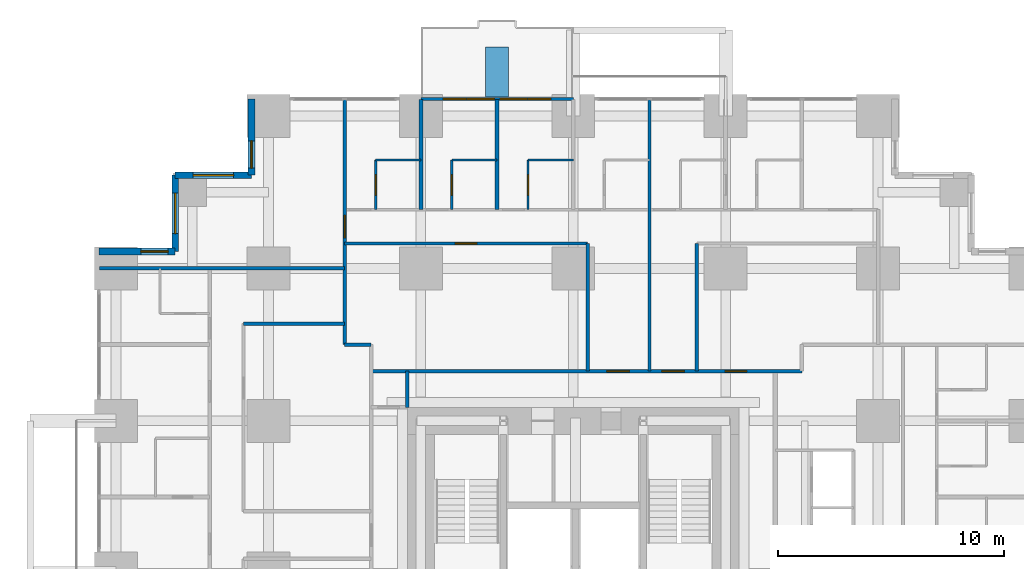
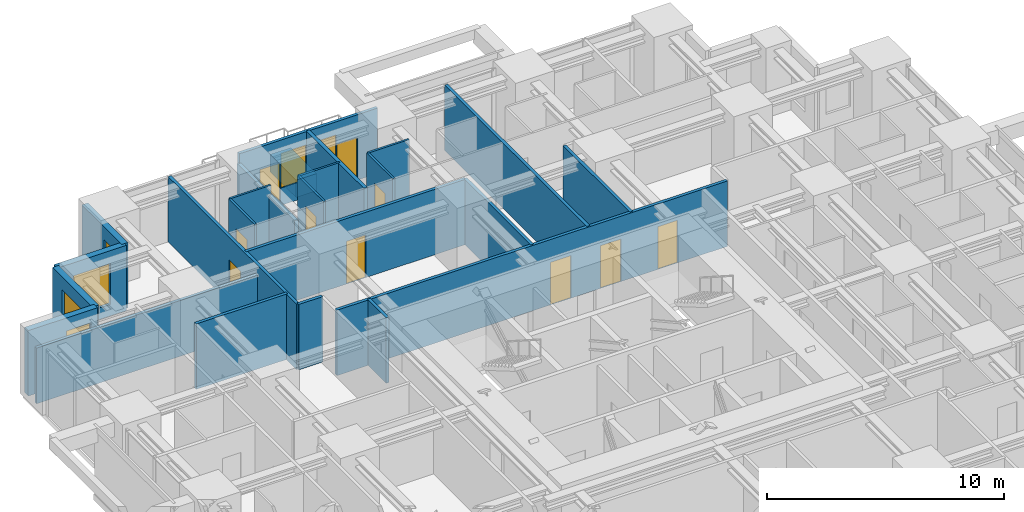
# One storey, part 12 of 15: 24 walls, 10 doors, 6 windows, 16 openings.
"""IFC4 building model written with IfcOpenShell, lengths in metres."""

from ifc_helpers import new_model, si_unit, direction, frame, frame_2d, origin, place, context, subcontext, project, spatial, rectangle, extrude, material, layer, layer_set, type_object, element, fill, save


model = new_model("IFC4")

# Units and contexts
model_context = context("Model", 3, precision=1e-05, world=origin(), true_north=direction((0.0, 1.0)))
body_context = subcontext(model_context, "Body", "Model", "MODEL_VIEW")
ifc_project = project(units=[si_unit("LENGTHUNIT", "METRE"), si_unit("AREAUNIT", "SQUARE_METRE"), si_unit("VOLUMEUNIT", "CUBIC_METRE"), si_unit("PLANEANGLEUNIT", "RADIAN"), si_unit("MASSUNIT", "GRAM", prefix="KILO")], contexts=[model_context])

# Site, building, storey
site_placement = place(None, origin())
site = spatial("IfcSite", under=ifc_project, at=site_placement, CompositionType="ELEMENT")
building_placement = place(site_placement, origin())
building = spatial("IfcBuilding", under=site, at=building_placement, Name="Nyansa Garden Tower", CompositionType="ELEMENT")
storey_placement = place(building_placement, frame((0.0, 0.0, 25.199951171875)))
storey = spatial("IfcBuildingStorey", under=building, at=storey_placement, Name="L06", CompositionType="ELEMENT", Elevation=25.199951171875)

# Walls
ifc_material_1 = material(Name="Dense blockwork, plastered both sides, 55 dB", Category="masonry")
ifc_layer_1 = layer(ifc_material_1, 0.175048828125)
ifc_layer_set_1 = layer_set([ifc_layer_1], Name="Acoustic party wall PW175")
wall_type_1 = type_object("IfcWallType", Name="Acoustic party wall PW175", PredefinedType="PARTITIONING", material=ifc_layer_set_1)
wall_1_placement = place(storey_placement, frame((13.5, 36.35009765625, 0.0), z_axis=(0.0, 0.0, 1.0), x_axis=(0.0, 1.0, 0.0)))
element("IfcWall", 1, at=wall_1_placement, inside=storey, type_object=wall_type_1, Name="Party wall", PredefinedType="PARTITIONING", context=body_context, shape_type="SweptSolid", body=[
    extrude(rectangle(XDim=4.8837890625, YDim=0.175048828125, at=frame_2d((2.44189453125, 0.0))), origin(), (0.0, 0.0, 1.0), 2.876953125),
])
wall_2_placement = place(storey_placement, frame((16.875, 36.35009765625, 0.0), z_axis=(0.0, 0.0, 1.0), x_axis=(0.0, 1.0, 0.0)))
element("IfcWall", 2, at=wall_2_placement, inside=storey, type_object=wall_type_1, Name="Party wall", PredefinedType="PARTITIONING", context=body_context, shape_type="SweptSolid", body=[
    extrude(rectangle(XDim=4.8837890625, YDim=0.175048828125, at=frame_2d((2.44189453125, 0.0))), origin(), (0.0, 0.0, 1.0), 3.375),
])

# Wall, openings, doors, windows
ifc_material_2 = material(Name="Black aluminium framed glazed screen", Category="aluminium")
ifc_layer_2 = layer(ifc_material_2, 0.14990234375)
ifc_layer_set_2 = layer_set([ifc_layer_2], Name="Balcony screen wall BW150")
wall_type_2 = type_object("IfcWallType", Name="Balcony screen wall BW150", PredefinedType="SOLIDWALL", material=ifc_layer_set_2)
wall_3_placement = place(storey_placement, frame((13.5, 41.25, 0.0), z_axis=(0.0, 0.0, 1.0), x_axis=(1.0, 0.0, 0.0)))
wall_3 = element("IfcWall", 3, at=wall_3_placement, inside=storey, type_object=wall_type_2, Name="Glazed screen wall L06 N", PredefinedType="SOLIDWALL", context=body_context, shape_type="SweptSolid", body=[
    extrude(rectangle(XDim=6.75, YDim=0.14990234375, at=frame_2d((3.375, 0.0))), origin(), (0.0, 0.0, 1.0), 3.375),
])
opening_1_placement = place(wall_3_placement, frame((0.995849609375, 0.0, 0.0)))
opening_1 = element("IfcOpeningElement", 4, at=opening_1_placement, cuts=wall_3, Name="Opening D20", PredefinedType="OPENING", context=body_context, shape_type="SweptSolid", body=[
    extrude(rectangle(XDim=1.0, YDim=2.199951171875, at=frame_2d((0.5, 1.10009765625))), frame((0.0, 0.0849609375, 0.0), z_axis=(0.0, -1.0, 0.0), x_axis=(1.0, 0.0, 0.0)), (0.0, 0.0, 1.0), 0.169921875),
])
opening_2_placement = place(wall_3_placement, frame((2.041748046875, 0.0, 0.89990234375)))
opening_2 = element("IfcOpeningElement", 5, at=opening_2_placement, cuts=wall_3, Name="Opening W6", PredefinedType="OPENING", context=body_context, shape_type="SweptSolid", body=[
    extrude(rectangle(XDim=1.199951171875, YDim=1.800048828125, at=frame_2d((0.60009765625, 0.89990234375))), frame((0.0, 0.0849609375, 0.0), z_axis=(0.0, -1.0, 0.0), x_axis=(1.0, 0.0, 0.0)), (0.0, 0.0, 1.0), 0.169921875),
])
opening_3_placement = place(wall_3_placement, frame((4.754150390625, 0.0, 0.0)))
opening_3 = element("IfcOpeningElement", 6, at=opening_3_placement, cuts=wall_3, Name="Opening D20", PredefinedType="OPENING", context=body_context, shape_type="SweptSolid", body=[
    extrude(rectangle(XDim=1.0, YDim=2.199951171875, at=frame_2d((0.5, 1.10009765625))), frame((0.0, 0.0849609375, 0.0), z_axis=(0.0, -1.0, 0.0), x_axis=(1.0, 0.0, 0.0)), (0.0, 0.0, 1.0), 0.169921875),
])
opening_4_placement = place(wall_3_placement, frame((3.50830078125, 0.0, 0.89990234375)))
opening_4 = element("IfcOpeningElement", 7, at=opening_4_placement, cuts=wall_3, Name="Opening W6", PredefinedType="OPENING", context=body_context, shape_type="SweptSolid", body=[
    extrude(rectangle(XDim=1.199951171875, YDim=1.800048828125, at=frame_2d((0.60009765625, 0.89990234375))), frame((0.0, 0.0849609375, 0.0), z_axis=(0.0, -1.0, 0.0), x_axis=(1.0, 0.0, 0.0)), (0.0, 0.0, 1.0), 0.169921875),
])
ifc_material_3 = material(Name="Black aluminium framed glazed door", Category="aluminium")
door_type_1 = type_object("IfcDoorType", Name="Balcony door D20 1000x2200", OperationType="NOTDEFINED", PredefinedType="DOOR", material=ifc_material_3)
door_1_placement = place(opening_1_placement, origin())
door_1 = element("IfcDoor", 8, at=door_1_placement, inside=storey, type_object=door_type_1, Name="Balcony door L06", OperationType="SINGLE_SWING_LEFT", OverallHeight=2.199951171875, OverallWidth=1.0, PredefinedType="DOOR", context=body_context, shape_type="SweptSolid", body=[
    extrude(rectangle(XDim=1.0, YDim=2.199951171875, at=frame_2d((0.5, 1.10009765625))), frame((0.0, 0.02490234375, 0.0), z_axis=(0.0, -1.0, 0.0), x_axis=(1.0, 0.0, 0.0)), (0.0, 0.0, 1.0), 0.050048828125),
])
fill(opening_1, door_1)
door_2_placement = place(opening_3_placement, origin())
door_2 = element("IfcDoor", 9, at=door_2_placement, inside=storey, type_object=door_type_1, Name="Balcony door L06", OperationType="SINGLE_SWING_RIGHT", OverallHeight=2.199951171875, OverallWidth=1.0, PredefinedType="DOOR", context=body_context, shape_type="SweptSolid", body=[
    extrude(rectangle(XDim=1.0, YDim=2.199951171875, at=frame_2d((0.5, 1.10009765625))), frame((0.0, 0.02490234375, 0.0), z_axis=(0.0, -1.0, 0.0), x_axis=(1.0, 0.0, 0.0)), (0.0, 0.0, 1.0), 0.050048828125),
])
fill(opening_3, door_2)
ifc_material_4 = material(Name="Black aluminium frame, dark tinted double glazing", Category="aluminium")
window_type_1 = type_object("IfcWindowType", Name="Balcony window W6 1200x1800", PartitioningType="SINGLE_PANEL", PredefinedType="WINDOW", material=ifc_material_4)
window_1_placement = place(opening_2_placement, origin())
window_1 = element("IfcWindow", 10, at=window_1_placement, inside=storey, type_object=window_type_1, Name="Window L06", OverallHeight=1.800048828125, OverallWidth=1.199951171875, PartitioningType="SINGLE_PANEL", PredefinedType="WINDOW", context=body_context, shape_type="SweptSolid", body=[
    extrude(rectangle(XDim=1.199951171875, YDim=1.800048828125, at=frame_2d((0.60009765625, 0.89990234375))), frame((0.0, 0.030029296875, 0.0), z_axis=(0.0, -1.0, 0.0), x_axis=(1.0, 0.0, 0.0)), (0.0, 0.0, 1.0), 0.06005859375),
])
fill(opening_2, window_1)
window_2_placement = place(opening_4_placement, origin())
window_2 = element("IfcWindow", 11, at=window_2_placement, inside=storey, type_object=window_type_1, Name="Window L06", OverallHeight=1.800048828125, OverallWidth=1.199951171875, PartitioningType="SINGLE_PANEL", PredefinedType="WINDOW", context=body_context, shape_type="SweptSolid", body=[
    extrude(rectangle(XDim=1.199951171875, YDim=1.800048828125, at=frame_2d((0.60009765625, 0.89990234375))), frame((0.0, 0.030029296875, 0.0), z_axis=(0.0, -1.0, 0.0), x_axis=(1.0, 0.0, 0.0)), (0.0, 0.0, 1.0), 0.06005859375),
])
fill(opening_4, window_2)

# Walls
ifc_material_5 = material(Name="Blockwork, plastered both sides", Category="masonry")
ifc_layer_3 = layer(ifc_material_5, 0.14990234375)
ifc_layer_set_3 = layer_set([ifc_layer_3], Name="Partition PW150")
wall_type_3 = type_object("IfcWallType", Name="Partition PW150", PredefinedType="PARTITIONING", material=ifc_layer_set_3)
wall_4_placement = place(storey_placement, frame((-0.73388671875, 33.75, 0.0), z_axis=(0.0, 0.0, 1.0), x_axis=(1.0, 0.0, 0.0)))
element("IfcWall", 12, at=wall_4_placement, inside=storey, type_object=wall_type_3, Name="Partition", PredefinedType="PARTITIONING", context=body_context, shape_type="SweptSolid", body=[
    extrude(rectangle(XDim=10.85888671875, YDim=0.14990234375, at=frame_2d((5.429443359375, 0.0))), origin(), (0.0, 0.0, 1.0), 2.876953125),
])
wall_5_placement = place(storey_placement, frame((5.64990234375, 31.300048828125, 0.0), z_axis=(0.0, 0.0, 1.0), x_axis=(1.0, 0.0, 0.0)))
element("IfcWall", 13, at=wall_5_placement, inside=storey, type_object=wall_type_3, Name="Partition", PredefinedType="PARTITIONING", context=body_context, shape_type="SweptSolid", body=[
    extrude(rectangle(XDim=4.47509765625, YDim=0.14990234375, at=frame_2d((2.237548828125, 0.0))), origin(), (0.0, 0.0, 1.0), 3.375),
])

# Wall, opening, door
wall_6_placement = place(storey_placement, frame((10.125, 30.375, 0.0), z_axis=(0.0, 0.0, 1.0), x_axis=(0.0, 1.0, 0.0)))
wall_6 = element("IfcWall", 14, at=wall_6_placement, inside=storey, type_object=wall_type_3, Name="Partition", PredefinedType="PARTITIONING", context=body_context, shape_type="SweptSolid", body=[
    extrude(rectangle(XDim=10.85888671875, YDim=0.14990234375, at=frame_2d((5.429443359375, 0.0))), origin(), (0.0, 0.0, 1.0), 3.375),
])
opening_5_placement = place(wall_6_placement, frame((4.72509765625, 0.0, 0.0)))
opening_5 = element("IfcOpeningElement", 15, at=opening_5_placement, cuts=wall_6, Name="Opening D03", PredefinedType="OPENING", context=body_context, shape_type="SweptSolid", body=[
    extrude(rectangle(XDim=1.0, YDim=2.199951171875, at=frame_2d((0.5, 1.10009765625))), frame((0.0, 0.0849609375, 0.0), z_axis=(0.0, -1.0, 0.0), x_axis=(1.0, 0.0, 0.0)), (0.0, 0.0, 1.0), 0.169921875),
])
ifc_material_6 = material(Name="Timber flush door, 60 minute fire resisting", Category="wood")
door_type_2 = type_object("IfcDoorType", Name="Cluster entrance door D03 1000x2200", OperationType="SINGLE_SWING_LEFT", PredefinedType="DOOR", material=ifc_material_6)
door_3_placement = place(opening_5_placement, origin())
door_3 = element("IfcDoor", 16, at=door_3_placement, inside=storey, type_object=door_type_2, Name="Door L06-066", OperationType="SINGLE_SWING_LEFT", OverallHeight=2.199951171875, OverallWidth=1.0, PredefinedType="DOOR", context=body_context, shape_type="SweptSolid", body=[
    extrude(rectangle(XDim=1.0, YDim=2.199951171875, at=frame_2d((0.5, 1.10009765625))), frame((0.0, 0.02490234375, 0.0), z_axis=(0.0, -1.0, 0.0), x_axis=(1.0, 0.0, 0.0)), (0.0, 0.0, 1.0), 0.050048828125),
])
fill(opening_5, door_3)

# Wall
wall_7_placement = place(storey_placement, frame((10.125, 30.375, 0.0), z_axis=(0.0, 0.0, 1.0), x_axis=(1.0, 0.0, 0.0)))
element("IfcWall", 17, at=wall_7_placement, inside=storey, type_object=wall_type_3, Name="Partition", PredefinedType="PARTITIONING", context=body_context, shape_type="SweptSolid", body=[
    extrude(rectangle(XDim=1.175048828125, YDim=0.14990234375, at=frame_2d((0.58740234375, 0.0))), origin(), (0.0, 0.0, 1.0), 3.375),
])

# Wall, opening, door
wall_8_placement = place(storey_placement, frame((10.125, 34.85009765625, 0.0), z_axis=(0.0, 0.0, 1.0), x_axis=(1.0, 0.0, 0.0)))
wall_8 = element("IfcWall", 18, at=wall_8_placement, inside=storey, type_object=wall_type_3, Name="Partition", PredefinedType="PARTITIONING", context=body_context, shape_type="SweptSolid", body=[
    extrude(rectangle(XDim=10.762451171875, YDim=0.14990234375, at=frame_2d((5.38134765625, 0.0))), origin(), (0.0, 0.0, 1.0), 3.375),
])
opening_6_placement = place(wall_8_placement, frame((4.89990234375, 0.0, 0.0)))
opening_6 = element("IfcOpeningElement", 19, at=opening_6_placement, cuts=wall_8, Name="Opening D01", PredefinedType="OPENING", context=body_context, shape_type="SweptSolid", body=[
    extrude(rectangle(XDim=0.949951171875, YDim=2.199951171875, at=frame_2d((0.47509765625, 1.10009765625))), frame((0.0, 0.0849609375, 0.0), z_axis=(0.0, -1.0, 0.0), x_axis=(1.0, 0.0, 0.0)), (0.0, 0.0, 1.0), 0.169921875),
])
ifc_material_7 = material(Name="Timber flush door, 30 minute fire resisting", Category="wood")
door_type_3 = type_object("IfcDoorType", Name="Bedroom door D01 950x2200", OperationType="SINGLE_SWING_LEFT", PredefinedType="DOOR", material=ifc_material_7)
door_4_placement = place(opening_6_placement, origin())
door_4 = element("IfcDoor", 20, at=door_4_placement, inside=storey, type_object=door_type_3, Name="Door L06-065", OperationType="SINGLE_SWING_LEFT", OverallHeight=2.199951171875, OverallWidth=0.949951171875, PredefinedType="DOOR", context=body_context, shape_type="SweptSolid", body=[
    extrude(rectangle(XDim=0.949951171875, YDim=2.199951171875, at=frame_2d((0.47509765625, 1.10009765625))), frame((0.0, 0.02490234375, 0.0), z_axis=(0.0, -1.0, 0.0), x_axis=(1.0, 0.0, 0.0)), (0.0, 0.0, 1.0), 0.050048828125),
])
fill(opening_6, door_4)

# Wall, openings, doors
wall_9_placement = place(storey_placement, frame((11.300048828125, 29.199951171875, 0.0), z_axis=(0.0, 0.0, 1.0), x_axis=(1.0, 0.0, 0.0)))
wall_9 = element("IfcWall", 21, at=wall_9_placement, inside=storey, type_object=wall_type_3, Name="Partition", PredefinedType="PARTITIONING", context=body_context, shape_type="SweptSolid", body=[
    extrude(rectangle(XDim=19.074951171875, YDim=0.14990234375, at=frame_2d((9.53759765625, 0.0))), origin(), (0.0, 0.0, 1.0), 3.375),
])
opening_7_placement = place(wall_9_placement, frame((12.875, 0.0, 0.0)))
opening_7 = element("IfcOpeningElement", 22, at=opening_7_placement, cuts=wall_9, Name="Opening D03", PredefinedType="OPENING", context=body_context, shape_type="SweptSolid", body=[
    extrude(rectangle(XDim=1.0, YDim=2.199951171875, at=frame_2d((0.5, 1.10009765625))), frame((0.0, 0.0849609375, 0.0), z_axis=(0.0, -1.0, 0.0), x_axis=(1.0, 0.0, 0.0)), (0.0, 0.0, 1.0), 0.169921875),
])
opening_8_placement = place(wall_9_placement, frame((10.4375, 0.0, 0.0)))
opening_8 = element("IfcOpeningElement", 23, at=opening_8_placement, cuts=wall_9, Name="Opening D03", PredefinedType="OPENING", context=body_context, shape_type="SweptSolid", body=[
    extrude(rectangle(XDim=1.0, YDim=2.199951171875, at=frame_2d((0.5, 1.10009765625))), frame((0.0, 0.0849609375, 0.0), z_axis=(0.0, -1.0, 0.0), x_axis=(1.0, 0.0, 0.0)), (0.0, 0.0, 1.0), 0.169921875),
])
opening_9_placement = place(wall_9_placement, frame((15.675048828125, 0.0, 0.0)))
opening_9 = element("IfcOpeningElement", 24, at=opening_9_placement, cuts=wall_9, Name="Opening D01", PredefinedType="OPENING", context=body_context, shape_type="SweptSolid", body=[
    extrude(rectangle(XDim=0.949951171875, YDim=2.199951171875, at=frame_2d((0.47509765625, 1.10009765625))), frame((0.0, 0.0849609375, 0.0), z_axis=(0.0, -1.0, 0.0), x_axis=(1.0, 0.0, 0.0)), (0.0, 0.0, 1.0), 0.169921875),
])
door_5_placement = place(opening_9_placement, origin())
door_5 = element("IfcDoor", 25, at=door_5_placement, inside=storey, type_object=door_type_3, Name="Door L06-064", OperationType="SINGLE_SWING_LEFT", OverallHeight=2.199951171875, OverallWidth=0.949951171875, PredefinedType="DOOR", context=body_context, shape_type="SweptSolid", body=[
    extrude(rectangle(XDim=0.949951171875, YDim=2.199951171875, at=frame_2d((0.47509765625, 1.10009765625))), frame((0.0, 0.02490234375, 0.0), z_axis=(0.0, -1.0, 0.0), x_axis=(1.0, 0.0, 0.0)), (0.0, 0.0, 1.0), 0.050048828125),
])
fill(opening_9, door_5)
door_6_placement = place(opening_7_placement, origin())
door_6 = element("IfcDoor", 26, at=door_6_placement, inside=storey, type_object=door_type_2, Name="Door L06-054", OperationType="SINGLE_SWING_LEFT", OverallHeight=2.199951171875, OverallWidth=1.0, PredefinedType="DOOR", context=body_context, shape_type="SweptSolid", body=[
    extrude(rectangle(XDim=1.0, YDim=2.199951171875, at=frame_2d((0.5, 1.10009765625))), frame((0.0, 0.02490234375, 0.0), z_axis=(0.0, -1.0, 0.0), x_axis=(1.0, 0.0, 0.0)), (0.0, 0.0, 1.0), 0.050048828125),
])
fill(opening_7, door_6)
door_7_placement = place(opening_8_placement, origin())
door_7 = element("IfcDoor", 27, at=door_7_placement, inside=storey, type_object=door_type_2, Name="Door L06-063", OperationType="SINGLE_SWING_LEFT", OverallHeight=2.199951171875, OverallWidth=1.0, PredefinedType="DOOR", context=body_context, shape_type="SweptSolid", body=[
    extrude(rectangle(XDim=1.0, YDim=2.199951171875, at=frame_2d((0.5, 1.10009765625))), frame((0.0, 0.02490234375, 0.0), z_axis=(0.0, -1.0, 0.0), x_axis=(1.0, 0.0, 0.0)), (0.0, 0.0, 1.0), 0.050048828125),
])
fill(opening_8, door_7)

# Walls
wall_10_placement = place(storey_placement, frame((12.89990234375, 27.60009765625, 0.0), z_axis=(0.0, 0.0, 1.0), x_axis=(0.0, 1.0, 0.0)))
element("IfcWall", 28, at=wall_10_placement, inside=storey, type_object=wall_type_3, Name="Partition", PredefinedType="PARTITIONING", context=body_context, shape_type="SweptSolid", body=[
    extrude(rectangle(XDim=1.599853515625, YDim=0.14990234375, at=frame_2d((0.7998046875, 0.0))), origin(), (0.0, 0.0, 1.0), 3.375),
])
wall_11_placement = place(storey_placement, frame((20.886962890625, 29.199951171875, 0.0), z_axis=(0.0, 0.0, 1.0), x_axis=(0.0, 1.0, 0.0)))
element("IfcWall", 29, at=wall_11_placement, inside=storey, type_object=wall_type_3, Name="Partition", PredefinedType="PARTITIONING", context=body_context, shape_type="SweptSolid", body=[
    extrude(rectangle(XDim=5.650146484375, YDim=0.14990234375, at=frame_2d((2.8251953125, 0.0))), origin(), (0.0, 0.0, 1.0), 3.375),
])
wall_12_placement = place(storey_placement, frame((23.625, 29.199951171875, 0.0), z_axis=(0.0, 0.0, 1.0), x_axis=(0.0, 1.0, 0.0)))
element("IfcWall", 30, at=wall_12_placement, inside=storey, type_object=wall_type_3, Name="Partition", PredefinedType="PARTITIONING", context=body_context, shape_type="SweptSolid", body=[
    extrude(rectangle(XDim=12.033935546875, YDim=0.14990234375, at=frame_2d((6.01708984375, 0.0))), origin(), (0.0, 0.0, 1.0), 3.375),
])
wall_13_placement = place(storey_placement, frame((25.72509765625, 29.199951171875, 0.0), z_axis=(0.0, 0.0, 1.0), x_axis=(0.0, 1.0, 0.0)))
element("IfcWall", 31, at=wall_13_placement, inside=storey, type_object=wall_type_3, Name="Partition", PredefinedType="PARTITIONING", context=body_context, shape_type="SweptSolid", body=[
    extrude(rectangle(XDim=5.650146484375, YDim=0.14990234375, at=frame_2d((2.8251953125, 0.0))), origin(), (0.0, 0.0, 1.0), 3.375),
])

# Wall, opening, window
ifc_material_8 = material(Name="Turquoise glazed tile on concrete blockwork", Category="masonry")
ifc_layer_4 = layer(ifc_material_8, 0.300048828125)
ifc_layer_set_4 = layer_set([ifc_layer_4], Name="Tiled corner wall TW300")
wall_type_4 = type_object("IfcWallType", Name="Tiled corner wall TW300", PredefinedType="SOLIDWALL", material=ifc_layer_set_4)
wall_14_placement = place(storey_placement, frame((6.0, 41.25, 0.0), z_axis=(0.0, 0.0, 1.0), x_axis=(0.0, -1.0, 0.0)))
wall_14 = element("IfcWall", 32, at=wall_14_placement, inside=storey, type_object=wall_type_4, Name="Tiled corner wall L06", PredefinedType="SOLIDWALL", context=body_context, shape_type="SweptSolid", body=[
    extrude(rectangle(XDim=3.375, YDim=0.300048828125, at=frame_2d((1.6875, 0.0))), origin(), (0.0, 0.0, 1.0), 3.375),
])
opening_10_placement = place(wall_14_placement, frame((1.857421875, 0.0, 0.89990234375)))
opening_10 = element("IfcOpeningElement", 33, at=opening_10_placement, cuts=wall_14, Name="Opening W4", PredefinedType="OPENING", context=body_context, shape_type="SweptSolid", body=[
    extrude(rectangle(XDim=1.199951171875, YDim=1.800048828125, at=frame_2d((0.60009765625, 0.89990234375))), frame((0.0, 0.159912109375, 0.0), z_axis=(0.0, -1.0, 0.0), x_axis=(1.0, 0.0, 0.0)), (0.0, 0.0, 1.0), 0.320068359375),
])
ifc_material_9 = material(Name="Black aluminium frame, dark tinted double glazing", Category="aluminium")
window_type_2 = type_object("IfcWindowType", Name="Window W4 1200x1800", PartitioningType="SINGLE_PANEL", PredefinedType="WINDOW", material=ifc_material_9)
window_3_placement = place(opening_10_placement, origin())
window_3 = element("IfcWindow", 34, at=window_3_placement, inside=storey, type_object=window_type_2, Name="Corner window L06", OverallHeight=1.800048828125, OverallWidth=1.199951171875, PartitioningType="SINGLE_PANEL", PredefinedType="WINDOW", context=body_context, shape_type="SweptSolid", body=[
    extrude(rectangle(XDim=1.199951171875, YDim=1.800048828125, at=frame_2d((0.60009765625, 0.89990234375))), frame((0.0, 0.030029296875, 0.0), z_axis=(0.0, -1.0, 0.0), x_axis=(1.0, 0.0, 0.0)), (0.0, 0.0, 1.0), 0.06005859375),
])
fill(opening_10, window_3)

wall_15_placement = place(storey_placement, frame((6.0, 37.875, 0.0), z_axis=(0.0, 0.0, 1.0), x_axis=(-1.0, 0.0, 0.0)))
wall_15 = element("IfcWall", 35, at=wall_15_placement, inside=storey, type_object=wall_type_4, Name="Tiled corner wall L06", PredefinedType="SOLIDWALL", context=body_context, shape_type="SweptSolid", body=[
    extrude(rectangle(XDim=3.375, YDim=0.300048828125, at=frame_2d((1.6875, 0.0))), origin(), (0.0, 0.0, 1.0), 3.375),
])
opening_11_placement = place(wall_15_placement, frame((0.78759765625, 0.0, 0.60009765625)))
opening_11 = element("IfcOpeningElement", 36, at=opening_11_placement, cuts=wall_15, Name="Opening W2", PredefinedType="OPENING", context=body_context, shape_type="SweptSolid", body=[
    extrude(rectangle(XDim=1.800048828125, YDim=2.10009765625, at=frame_2d((0.89990234375, 1.050048828125))), frame((0.0, 0.159912109375, 0.0), z_axis=(0.0, -1.0, 0.0), x_axis=(1.0, 0.0, 0.0)), (0.0, 0.0, 1.0), 0.320068359375),
])
ifc_material_10 = material(Name="Black aluminium frame, dark tinted double glazing", Category="aluminium")
window_type_3 = type_object("IfcWindowType", Name="Window W2 1800x2100", PartitioningType="SINGLE_PANEL", PredefinedType="WINDOW", material=ifc_material_10)
window_4_placement = place(opening_11_placement, origin())
window_4 = element("IfcWindow", 37, at=window_4_placement, inside=storey, type_object=window_type_3, Name="Corner window L06", OverallHeight=2.10009765625, OverallWidth=1.800048828125, PartitioningType="SINGLE_PANEL", PredefinedType="WINDOW", context=body_context, shape_type="SweptSolid", body=[
    extrude(rectangle(XDim=1.800048828125, YDim=2.10009765625, at=frame_2d((0.89990234375, 1.050048828125))), frame((0.0, 0.030029296875, 0.0), z_axis=(0.0, -1.0, 0.0), x_axis=(1.0, 0.0, 0.0)), (0.0, 0.0, 1.0), 0.06005859375),
])
fill(opening_11, window_4)

wall_16_placement = place(storey_placement, frame((2.625, 37.875, 0.0), z_axis=(0.0, 0.0, 1.0), x_axis=(0.0, -1.0, 0.0)))
wall_16 = element("IfcWall", 38, at=wall_16_placement, inside=storey, type_object=wall_type_4, Name="Tiled corner wall L06", PredefinedType="SOLIDWALL", context=body_context, shape_type="SweptSolid", body=[
    extrude(rectangle(XDim=3.375, YDim=0.300048828125, at=frame_2d((1.6875, 0.0))), origin(), (0.0, 0.0, 1.0), 3.375),
])
opening_12_placement = place(wall_16_placement, frame((0.78759765625, 0.0, 0.60009765625)))
opening_12 = element("IfcOpeningElement", 39, at=opening_12_placement, cuts=wall_16, Name="Opening W2", PredefinedType="OPENING", context=body_context, shape_type="SweptSolid", body=[
    extrude(rectangle(XDim=1.800048828125, YDim=2.10009765625, at=frame_2d((0.89990234375, 1.050048828125))), frame((0.0, 0.159912109375, 0.0), z_axis=(0.0, -1.0, 0.0), x_axis=(1.0, 0.0, 0.0)), (0.0, 0.0, 1.0), 0.320068359375),
])
window_5_placement = place(opening_12_placement, origin())
window_5 = element("IfcWindow", 40, at=window_5_placement, inside=storey, type_object=window_type_3, Name="Corner window L06", OverallHeight=2.10009765625, OverallWidth=1.800048828125, PartitioningType="SINGLE_PANEL", PredefinedType="WINDOW", context=body_context, shape_type="SweptSolid", body=[
    extrude(rectangle(XDim=1.800048828125, YDim=2.10009765625, at=frame_2d((0.89990234375, 1.050048828125))), frame((0.0, 0.030029296875, 0.0), z_axis=(0.0, -1.0, 0.0), x_axis=(1.0, 0.0, 0.0)), (0.0, 0.0, 1.0), 0.06005859375),
])
fill(opening_12, window_5)

wall_17_placement = place(storey_placement, frame((2.625, 34.5, 0.0), z_axis=(0.0, 0.0, 1.0), x_axis=(-1.0, 0.0, 0.0)))
wall_17 = element("IfcWall", 41, at=wall_17_placement, inside=storey, type_object=wall_type_4, Name="Tiled corner wall L06", PredefinedType="SOLIDWALL", context=body_context, shape_type="SweptSolid", body=[
    extrude(rectangle(XDim=3.375, YDim=0.300048828125, at=frame_2d((1.6875, 0.0))), origin(), (0.0, 0.0, 1.0), 3.375),
])
opening_13_placement = place(wall_17_placement, frame((0.3173828125, 0.0, 0.89990234375)))
opening_13 = element("IfcOpeningElement", 42, at=opening_13_placement, cuts=wall_17, Name="Opening W4", PredefinedType="OPENING", context=body_context, shape_type="SweptSolid", body=[
    extrude(rectangle(XDim=1.199951171875, YDim=1.800048828125, at=frame_2d((0.60009765625, 0.89990234375))), frame((0.0, 0.159912109375, 0.0), z_axis=(0.0, -1.0, 0.0), x_axis=(1.0, 0.0, 0.0)), (0.0, 0.0, 1.0), 0.320068359375),
])
window_6_placement = place(opening_13_placement, origin())
window_6 = element("IfcWindow", 43, at=window_6_placement, inside=storey, type_object=window_type_2, Name="Corner window L06", OverallHeight=1.800048828125, OverallWidth=1.199951171875, PartitioningType="SINGLE_PANEL", PredefinedType="WINDOW", context=body_context, shape_type="SweptSolid", body=[
    extrude(rectangle(XDim=1.199951171875, YDim=1.800048828125, at=frame_2d((0.60009765625, 0.89990234375))), frame((0.0, 0.030029296875, 0.0), z_axis=(0.0, -1.0, 0.0), x_axis=(1.0, 0.0, 0.0)), (0.0, 0.0, 1.0), 0.06005859375),
])
fill(opening_13, window_6)

# Wall
ifc_material_11 = material(Name="Concrete C40/50 planter, waterproofed", Category="concrete")
ifc_layer_5 = layer(ifc_material_11, 1.0)
ifc_layer_set_5 = layer_set([ifc_layer_5], Name="Tree planter TP1")
wall_type_5 = type_object("IfcWallType", Name="Tree planter TP1", PredefinedType="USERDEFINED", material=ifc_layer_set_5)
wall_18_placement = place(storey_placement, frame((16.875, 41.35009765625, 0.0), z_axis=(0.0, 0.0, 1.0), x_axis=(0.0, 1.0, 0.0)))
element("IfcWall", 44, at=wall_18_placement, inside=storey, type_object=wall_type_5, Name="Tree planter L06", ObjectType="TREE PLANTER", PredefinedType="USERDEFINED", context=body_context, shape_type="SweptSolid", body=[
    extrude(rectangle(XDim=2.199951171875, YDim=1.0, at=frame_2d((1.10009765625, 0.0))), origin(), (0.0, 0.0, 1.0), 0.900146484375),
])

# Wall, opening, door
ifc_material_12 = material(Name="Moisture resistant board on steel studs, tiled", Category="steel")
ifc_layer_6 = layer(ifc_material_12, 0.10009765625)
ifc_layer_set_6 = layer_set([ifc_layer_6], Name="Wet wall PW100")
wall_type_6 = type_object("IfcWallType", Name="Wet wall PW100", PredefinedType="PARTITIONING", material=ifc_layer_set_6)
wall_19_placement = place(storey_placement, frame((11.5, 36.35009765625, 0.0), z_axis=(0.0, 0.0, 1.0), x_axis=(0.0, 1.0, 0.0)))
wall_19 = element("IfcWall", 45, at=wall_19_placement, inside=storey, type_object=wall_type_6, Name="Wet wall", PredefinedType="PARTITIONING", context=body_context, shape_type="SweptSolid", body=[
    extrude(rectangle(XDim=2.199951171875, YDim=0.10009765625, at=frame_2d((1.10009765625, 0.0))), origin(), (0.0, 0.0, 1.0), 3.375),
])
opening_14_placement = place(wall_19_placement, frame((0.64990234375, 0.0, 0.0)))
opening_14 = element("IfcOpeningElement", 46, at=opening_14_placement, cuts=wall_19, Name="Opening D02", PredefinedType="OPENING", context=body_context, shape_type="SweptSolid", body=[
    extrude(rectangle(XDim=0.89990234375, YDim=2.199951171875, at=frame_2d((0.449951171875, 1.10009765625))), frame((0.0, 0.06005859375, 0.0), z_axis=(0.0, -1.0, 0.0), x_axis=(1.0, 0.0, 0.0)), (0.0, 0.0, 1.0), 0.1201171875),
])
ifc_material_13 = material(Name="Timber flush door", Category="wood")
door_type_4 = type_object("IfcDoorType", Name="En-suite door D02 900x2200", OperationType="SINGLE_SWING_RIGHT", PredefinedType="DOOR", material=ifc_material_13)
door_8_placement = place(opening_14_placement, origin())
door_8 = element("IfcDoor", 47, at=door_8_placement, inside=storey, type_object=door_type_4, Name="Door L06-056", OperationType="SINGLE_SWING_RIGHT", OverallHeight=2.199951171875, OverallWidth=0.89990234375, PredefinedType="DOOR", context=body_context, shape_type="SweptSolid", body=[
    extrude(rectangle(XDim=0.89990234375, YDim=2.199951171875, at=frame_2d((0.449951171875, 1.10009765625))), frame((0.0, 0.02490234375, 0.0), z_axis=(0.0, -1.0, 0.0), x_axis=(1.0, 0.0, 0.0)), (0.0, 0.0, 1.0), 0.050048828125),
])
fill(opening_14, door_8)

# Wall
wall_20_placement = place(storey_placement, frame((11.5, 38.550048828125, 0.0), z_axis=(0.0, 0.0, 1.0), x_axis=(1.0, 0.0, 0.0)))
element("IfcWall", 48, at=wall_20_placement, inside=storey, type_object=wall_type_6, Name="Wet wall", PredefinedType="PARTITIONING", context=body_context, shape_type="SweptSolid", body=[
    extrude(rectangle(XDim=2.0, YDim=0.10009765625, at=frame_2d((1.0, 0.0))), origin(), (0.0, 0.0, 1.0), 3.375),
])

# Wall, opening, door
wall_21_placement = place(storey_placement, frame((14.875, 36.35009765625, 0.0), z_axis=(0.0, 0.0, 1.0), x_axis=(0.0, 1.0, 0.0)))
wall_21 = element("IfcWall", 49, at=wall_21_placement, inside=storey, type_object=wall_type_6, Name="Wet wall", PredefinedType="PARTITIONING", context=body_context, shape_type="SweptSolid", body=[
    extrude(rectangle(XDim=2.199951171875, YDim=0.10009765625, at=frame_2d((1.10009765625, 0.0))), origin(), (0.0, 0.0, 1.0), 3.375),
])
opening_15_placement = place(wall_21_placement, frame((0.64990234375, 0.0, 0.0)))
opening_15 = element("IfcOpeningElement", 50, at=opening_15_placement, cuts=wall_21, Name="Opening D02", PredefinedType="OPENING", context=body_context, shape_type="SweptSolid", body=[
    extrude(rectangle(XDim=0.89990234375, YDim=2.199951171875, at=frame_2d((0.449951171875, 1.10009765625))), frame((0.0, 0.06005859375, 0.0), z_axis=(0.0, -1.0, 0.0), x_axis=(1.0, 0.0, 0.0)), (0.0, 0.0, 1.0), 0.1201171875),
])
door_9_placement = place(opening_15_placement, origin())
door_9 = element("IfcDoor", 51, at=door_9_placement, inside=storey, type_object=door_type_4, Name="Door L06-058", OperationType="SINGLE_SWING_RIGHT", OverallHeight=2.199951171875, OverallWidth=0.89990234375, PredefinedType="DOOR", context=body_context, shape_type="SweptSolid", body=[
    extrude(rectangle(XDim=0.89990234375, YDim=2.199951171875, at=frame_2d((0.449951171875, 1.10009765625))), frame((0.0, 0.02490234375, 0.0), z_axis=(0.0, -1.0, 0.0), x_axis=(1.0, 0.0, 0.0)), (0.0, 0.0, 1.0), 0.050048828125),
])
fill(opening_15, door_9)

# Wall
wall_22_placement = place(storey_placement, frame((14.875, 38.550048828125, 0.0), z_axis=(0.0, 0.0, 1.0), x_axis=(1.0, 0.0, 0.0)))
element("IfcWall", 52, at=wall_22_placement, inside=storey, type_object=wall_type_6, Name="Wet wall", PredefinedType="PARTITIONING", context=body_context, shape_type="SweptSolid", body=[
    extrude(rectangle(XDim=2.0, YDim=0.10009765625, at=frame_2d((1.0, 0.0))), origin(), (0.0, 0.0, 1.0), 3.375),
])

# Wall, opening, door
wall_23_placement = place(storey_placement, frame((18.25, 36.35009765625, 0.0), z_axis=(0.0, 0.0, 1.0), x_axis=(0.0, 1.0, 0.0)))
wall_23 = element("IfcWall", 53, at=wall_23_placement, inside=storey, type_object=wall_type_6, Name="Wet wall", PredefinedType="PARTITIONING", context=body_context, shape_type="SweptSolid", body=[
    extrude(rectangle(XDim=2.199951171875, YDim=0.10009765625, at=frame_2d((1.10009765625, 0.0))), origin(), (0.0, 0.0, 1.0), 3.375),
])
opening_16_placement = place(wall_23_placement, frame((0.64990234375, 0.0, 0.0)))
opening_16 = element("IfcOpeningElement", 54, at=opening_16_placement, cuts=wall_23, Name="Opening D02", PredefinedType="OPENING", context=body_context, shape_type="SweptSolid", body=[
    extrude(rectangle(XDim=0.89990234375, YDim=2.199951171875, at=frame_2d((0.449951171875, 1.10009765625))), frame((0.0, 0.06005859375, 0.0), z_axis=(0.0, -1.0, 0.0), x_axis=(1.0, 0.0, 0.0)), (0.0, 0.0, 1.0), 0.1201171875),
])
door_10_placement = place(opening_16_placement, origin())
door_10 = element("IfcDoor", 55, at=door_10_placement, inside=storey, type_object=door_type_4, Name="Door L06-060", OperationType="SINGLE_SWING_RIGHT", OverallHeight=2.199951171875, OverallWidth=0.89990234375, PredefinedType="DOOR", context=body_context, shape_type="SweptSolid", body=[
    extrude(rectangle(XDim=0.89990234375, YDim=2.199951171875, at=frame_2d((0.449951171875, 1.10009765625))), frame((0.0, 0.02490234375, 0.0), z_axis=(0.0, -1.0, 0.0), x_axis=(1.0, 0.0, 0.0)), (0.0, 0.0, 1.0), 0.050048828125),
])
fill(opening_16, door_10)

# Wall
wall_24_placement = place(storey_placement, frame((18.25, 38.550048828125, 0.0), z_axis=(0.0, 0.0, 1.0), x_axis=(1.0, 0.0, 0.0)))
element("IfcWall", 56, at=wall_24_placement, inside=storey, type_object=wall_type_6, Name="Wet wall", PredefinedType="PARTITIONING", context=body_context, shape_type="SweptSolid", body=[
    extrude(rectangle(XDim=2.0, YDim=0.10009765625, at=frame_2d((1.0, 0.0))), origin(), (0.0, 0.0, 1.0), 3.375),
])

save(model, "model.ifc")
